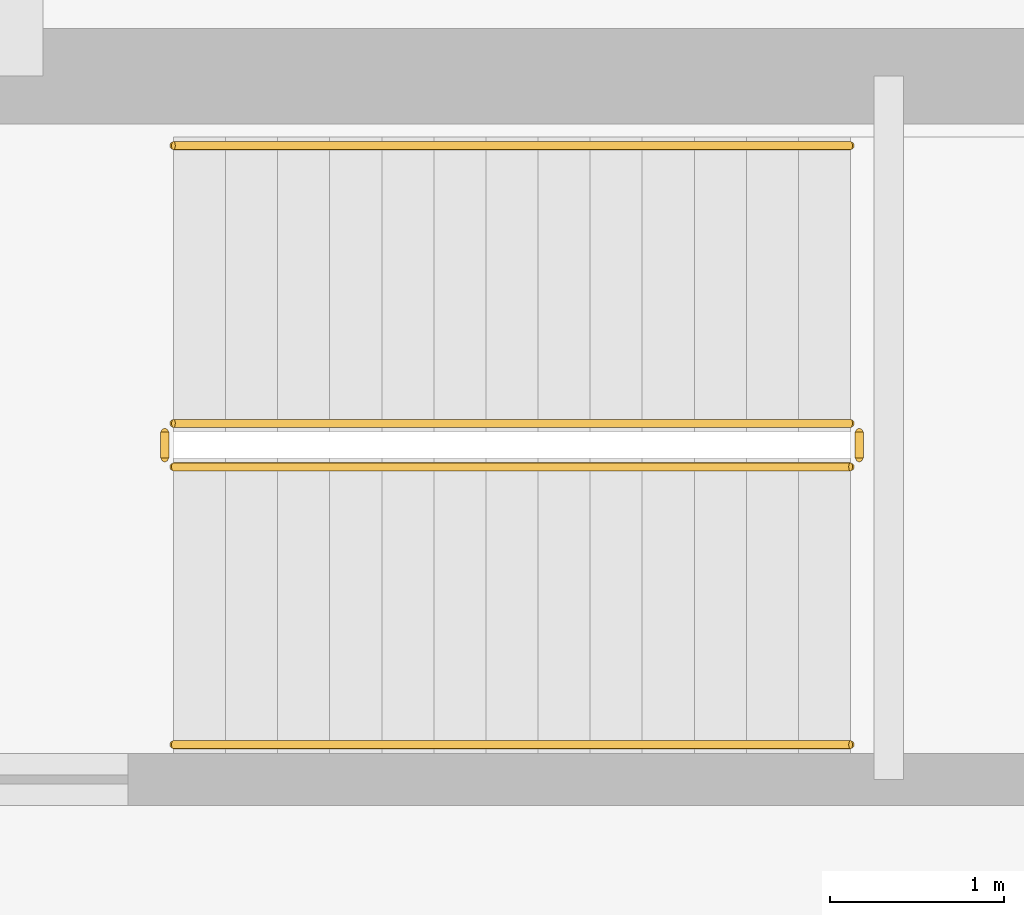
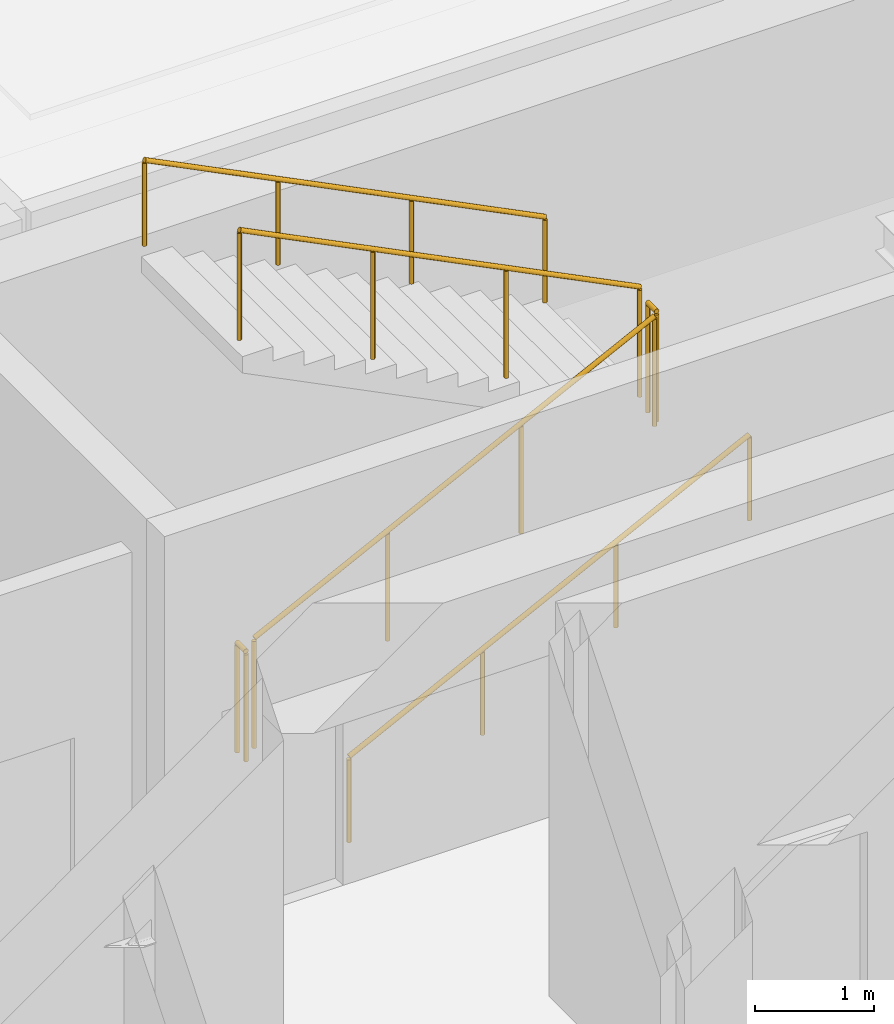
# One storey, part 42 of 51: 6 railings.
"""IFC4 building model written with IfcOpenShell, lengths in metres."""

from ifc_helpers import new_model, si_unit, direction, frame, origin, origin_2d, place, context, subcontext, project, spatial, circle, extrude, material, type_object, element, save


model = new_model("IFC4")

# Units and contexts
model_context = context("Model", 3, precision=1e-05, world=origin(), true_north=direction((0.0, 1.0)))
body_context = subcontext(model_context, "Body", "Model", "MODEL_VIEW")
ifc_project = project(units=[si_unit("LENGTHUNIT", "METRE"), si_unit("AREAUNIT", "SQUARE_METRE"), si_unit("VOLUMEUNIT", "CUBIC_METRE"), si_unit("PLANEANGLEUNIT", "RADIAN"), si_unit("MASSUNIT", "GRAM", prefix="KILO")], contexts=[model_context])

# Site, building, storey
site_placement = place(None, origin())
site = spatial("IfcSite", under=ifc_project, at=site_placement, CompositionType="ELEMENT")
building_placement = place(site_placement, origin())
building = spatial("IfcBuilding", under=site, at=building_placement, Name="Punatoya Terracotta Tower", CompositionType="ELEMENT")
storey_placement = place(building_placement, frame((0.0, 0.0, 313.199951171875)))
storey = spatial("IfcBuildingStorey", under=building, at=storey_placement, Name="L74", CompositionType="ELEMENT", Elevation=313.199951171875)

# Railings
ifc_material = material(Name="Steel S355", Category="steel")
railing_type_1 = type_object("IfcRailingType", Name="RLG-GRD-1150", PredefinedType="GUARDRAIL", material=ifc_material)
railing_1_placement = place(storey_placement, frame((-2.89990234375, 6.949951171875, 0.150146484375)))
element("IfcRailing", 1, at=railing_1_placement, inside=storey, type_object=railing_type_1, Name="L74 ST-3 stair guard 1", PredefinedType="GUARDRAIL", context=body_context, shape_type="SweptSolid", body=[
    extrude(circle(Radius=0.02392578125, at=origin_2d()), frame((0.0, 0.0, 1.1259765625), z_axis=(0.894427191, 0.0, 0.4472135955), x_axis=(0.0, 1.0, 0.0)), (0.0, 0.0, 1.0), 4.360107421875),
    extrude(circle(Radius=0.02099609375, at=origin_2d()), origin(), (0.0, 0.0, 1.0), 1.101806640625),
    extrude(circle(Radius=0.02099609375, at=origin_2d()), frame((1.300048828125, 0.0, 0.64990234375)), (0.0, 0.0, 1.0), 1.101806640625),
    extrude(circle(Radius=0.02099609375, at=origin_2d()), frame((2.599853515625, 0.0, 1.300048828125)), (0.0, 0.0, 1.0), 1.101806640625),
    extrude(circle(Radius=0.02099609375, at=origin_2d()), frame((3.89990234375, 0.0, 1.949951171875)), (0.0, 0.0, 1.0), 1.101806640625),
])
railing_2_placement = place(storey_placement, frame((1.050048828125, 7.0, 2.10009765625)))
element("IfcRailing", 2, at=railing_2_placement, inside=storey, type_object=railing_type_1, Name="L74 ST-3 stair guard 2", PredefinedType="GUARDRAIL", context=body_context, shape_type="SweptSolid", body=[
    extrude(circle(Radius=0.02392578125, at=origin_2d()), frame((0.0, 0.0, 1.1259765625), z_axis=(0.0, 1.0, 0.0), x_axis=(-1.0, 0.0, 0.0)), (0.0, 0.0, 1.0), 0.14990234375),
    extrude(circle(Radius=0.02099609375, at=origin_2d()), origin(), (0.0, 0.0, 1.0), 1.101806640625),
    extrude(circle(Radius=0.02099609375, at=origin_2d()), frame((0.0, 0.14990234375, 0.0)), (0.0, 0.0, 1.0), 1.101806640625),
])
railing_3_placement = place(storey_placement, frame((1.0, 7.199951171875, 2.25)))
element("IfcRailing", 3, at=railing_3_placement, inside=storey, type_object=railing_type_1, Name="L74 ST-3 stair guard 3", PredefinedType="GUARDRAIL", context=body_context, shape_type="SweptSolid", body=[
    extrude(circle(Radius=0.02392578125, at=origin_2d()), frame((0.0, 0.0, 1.1259765625), z_axis=(-0.894427191, 0.0, 0.4472135955), x_axis=(0.0, -1.0, 0.0)), (0.0, 0.0, 1.0), 4.360107421875),
    extrude(circle(Radius=0.02099609375, at=origin_2d()), origin(), (0.0, 0.0, 1.0), 1.101806640625),
    extrude(circle(Radius=0.02099609375, at=origin_2d()), frame((-1.300048828125, 0.0, 0.64990234375)), (0.0, 0.0, 1.0), 1.101806640625),
    extrude(circle(Radius=0.02099609375, at=origin_2d()), frame((-2.599853515625, 0.0, 1.300048828125)), (0.0, 0.0, 1.0), 1.101806640625),
    extrude(circle(Radius=0.02099609375, at=origin_2d()), frame((-3.89990234375, 0.0, 1.949951171875)), (0.0, 0.0, 1.0), 1.101806640625),
])
railing_4_placement = place(storey_placement, frame((-2.949951171875, 7.0, 0.0)))
element("IfcRailing", 4, at=railing_4_placement, inside=storey, type_object=railing_type_1, Name="L74 ST-3 stair guard 4", PredefinedType="GUARDRAIL", context=body_context, shape_type="SweptSolid", body=[
    extrude(circle(Radius=0.02392578125, at=origin_2d()), frame((0.0, 0.0, 1.1259765625), z_axis=(0.0, 1.0, 0.0), x_axis=(-1.0, 0.0, 0.0)), (0.0, 0.0, 1.0), 0.14990234375),
    extrude(circle(Radius=0.02099609375, at=origin_2d()), origin(), (0.0, 0.0, 1.0), 1.101806640625),
    extrude(circle(Radius=0.02099609375, at=origin_2d()), frame((0.0, 0.14990234375, 0.0)), (0.0, 0.0, 1.0), 1.101806640625),
])
railing_type_2 = type_object("IfcRailingType", Name="RLG-HND-900", PredefinedType="HANDRAIL", material=ifc_material)
railing_5_placement = place(storey_placement, frame((-2.89990234375, 5.35009765625, 0.150146484375)))
element("IfcRailing", 5, at=railing_5_placement, inside=storey, type_object=railing_type_2, Name="L74 ST-3 stair handrail 1", PredefinedType="HANDRAIL", context=body_context, shape_type="SweptSolid", body=[
    extrude(circle(Radius=0.02392578125, at=origin_2d()), frame((0.0, 0.0, 0.8759765625), z_axis=(0.894427191, 0.0, 0.4472135955), x_axis=(0.0, 1.0, 0.0)), (0.0, 0.0, 1.0), 4.360107421875),
    extrude(circle(Radius=0.02099609375, at=origin_2d()), origin(), (0.0, 0.0, 1.0), 0.851806640625),
    extrude(circle(Radius=0.02099609375, at=origin_2d()), frame((1.300048828125, 0.0, 0.64990234375)), (0.0, 0.0, 1.0), 0.851806640625),
    extrude(circle(Radius=0.02099609375, at=origin_2d()), frame((2.599853515625, 0.0, 1.300048828125)), (0.0, 0.0, 1.0), 0.851806640625),
    extrude(circle(Radius=0.02099609375, at=origin_2d()), frame((3.89990234375, 0.0, 1.949951171875)), (0.0, 0.0, 1.0), 0.851806640625),
])
railing_6_placement = place(storey_placement, frame((1.0, 8.800048828125, 2.25)))
element("IfcRailing", 6, at=railing_6_placement, inside=storey, type_object=railing_type_2, Name="L74 ST-3 stair handrail 2", PredefinedType="HANDRAIL", context=body_context, shape_type="SweptSolid", body=[
    extrude(circle(Radius=0.02392578125, at=origin_2d()), frame((0.0, 0.0, 0.8759765625), z_axis=(-0.894427191, 0.0, 0.4472135955), x_axis=(0.0, -1.0, 0.0)), (0.0, 0.0, 1.0), 4.360107421875),
    extrude(circle(Radius=0.02099609375, at=origin_2d()), origin(), (0.0, 0.0, 1.0), 0.851806640625),
    extrude(circle(Radius=0.02099609375, at=origin_2d()), frame((-1.300048828125, 0.0, 0.64990234375)), (0.0, 0.0, 1.0), 0.851806640625),
    extrude(circle(Radius=0.02099609375, at=origin_2d()), frame((-2.599853515625, 0.0, 1.300048828125)), (0.0, 0.0, 1.0), 0.851806640625),
    extrude(circle(Radius=0.02099609375, at=origin_2d()), frame((-3.89990234375, 0.0, 1.949951171875)), (0.0, 0.0, 1.0), 0.851806640625),
])

save(model, "model.ifc")
